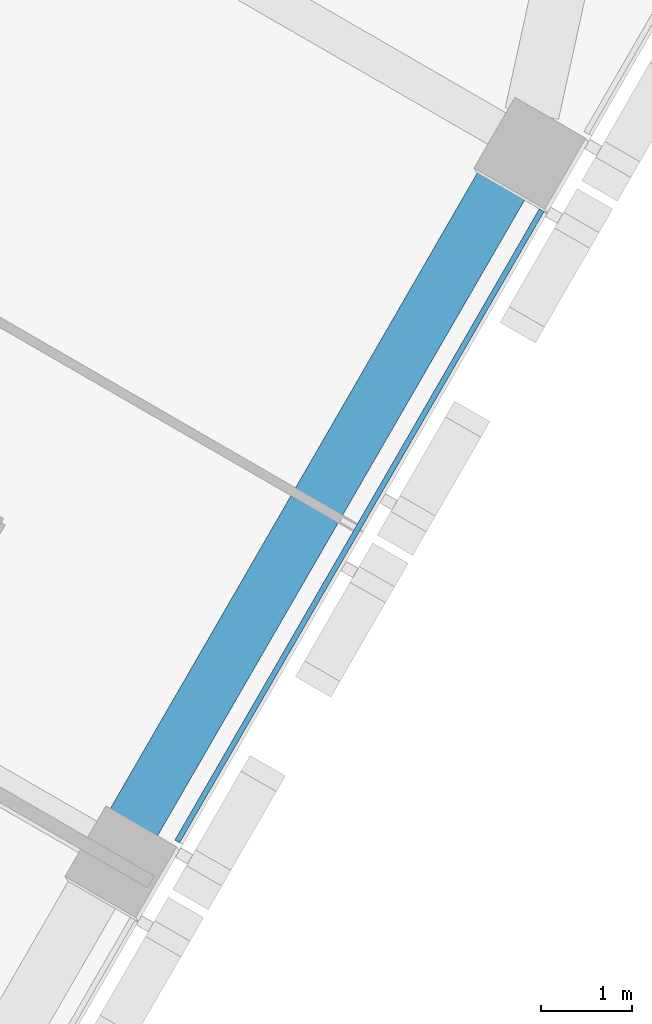
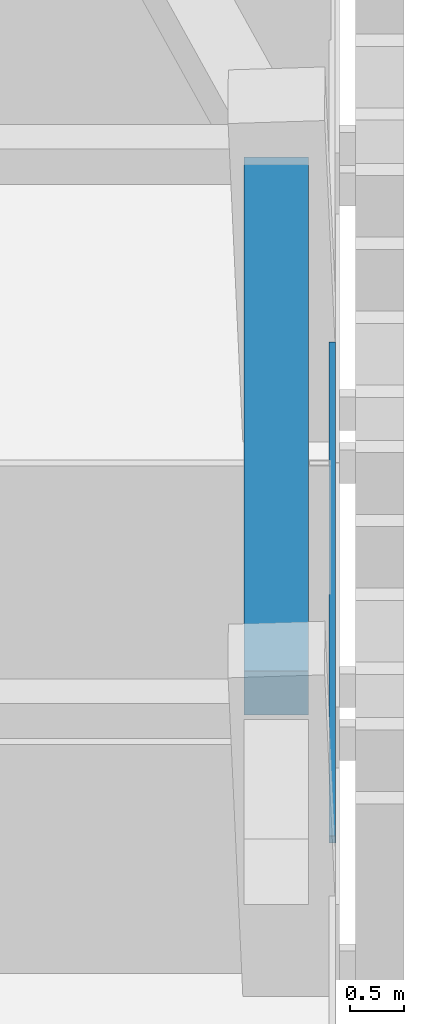
# One storey, part 5 of 18: 1 beam, 1 member, 1 element without a shape of its own.
"""IFC4 building model written with IfcOpenShell, lengths in metres."""

from ifc_helpers import new_model, si_unit, direction, frame, origin, origin_2d, place, context, subcontext, project, spatial, rectangle, extrude, material, layer, layer_set, material_profile, profile_set, type_object, element, aggregate, save


model = new_model("IFC4")

# Units and contexts
model_context = context("Model", 3, precision=1e-05, world=origin(), true_north=direction((0.0, 1.0)))
body_context = subcontext(model_context, "Body", "Model", "MODEL_VIEW")
ifc_project = project(units=[si_unit("LENGTHUNIT", "METRE"), si_unit("AREAUNIT", "SQUARE_METRE"), si_unit("VOLUMEUNIT", "CUBIC_METRE"), si_unit("PLANEANGLEUNIT", "RADIAN"), si_unit("MASSUNIT", "GRAM", prefix="KILO")], contexts=[model_context])

# Site, building, storey
site_placement = place(None, origin())
site = spatial("IfcSite", under=ifc_project, at=site_placement, CompositionType="ELEMENT")
building_placement = place(site_placement, origin())
building = spatial("IfcBuilding", under=site, at=building_placement, Name="Altiplano Prism Tower", CompositionType="ELEMENT")
storey_placement = place(building_placement, frame((0.0, 0.0, 37.800048828125)))
storey = spatial("IfcBuildingStorey", under=building, at=storey_placement, Name="L08", CompositionType="ELEMENT", Elevation=37.800048828125)

# Curtain wall, member
ifc_material_1 = material(Name="Aluminium and glass", Category="aluminium")
ifc_layer = layer(ifc_material_1, 0.280029296875)
ifc_layer_set = layer_set([ifc_layer], Name="Aluminium and glass")
curtain_wall_type = type_object("IfcCurtainWallType", Name="CW1 typical co-living unitised curtain wall", PredefinedType="NOTDEFINED", material=ifc_layer_set)
curtain_wall_placement = place(storey_placement, origin())
curtain_wall = element("IfcCurtainWall", 1, at=curtain_wall_placement, inside=storey, type_object=curtain_wall_type, Name="CW1 curtain wall south-east face L08", PredefinedType="NOTDEFINED")
ifc_material_2 = material(Name="Aluminium", Category="aluminium")
ifc_material_profile_1 = material_profile(ifc_material_2, rectangle(XDim=0.06005859375, YDim=0.080078125, at=origin_2d()), Name="CW1 transom 80 x 60")
ifc_profile_set_1 = profile_set([ifc_material_profile_1], Name="Aluminium")
member_type = type_object("IfcMemberType", Name="CW1 transom 80 x 60", PredefinedType="USERDEFINED", material=ifc_profile_set_1)
member_placement = place(storey_placement, frame((105.400634765625, 78.306396484375, 1.099853515625), z_axis=(0.500012318566, 0.86601829154, 0.0), x_axis=(-0.86601829154, 0.500012318566, 0.0)))
member = element("IfcMember", 2, at=member_placement, type_object=member_type, Name="CW1 transom", ObjectType="TRANSOM", PredefinedType="USERDEFINED", context=body_context, shape_type="SweptSolid", body=[
    extrude(rectangle(XDim=0.06005859375, YDim=0.080078125, at=origin_2d()), origin(), (0.0, 0.0, 1.0), 8.019775390625),
])
aggregate(curtain_wall, [member])

# Beam
ifc_material_3 = material(Name="Concrete C60/75", Category="concrete")
ifc_material_profile_2 = material_profile(ifc_material_3, rectangle(XDim=0.60009765625, YDim=0.5, at=origin_2d()), Name="Edge beam 600x500")
ifc_profile_set_2 = profile_set([ifc_material_profile_2], Name="Concrete C60/75")
beam_type = type_object("IfcBeamType", Name="Edge beam 600x500", PredefinedType="SPANDREL", material=ifc_profile_set_2)
beam_placement = place(storey_placement, frame((104.891845703125, 78.462158203125, 2.849853515625), z_axis=(0.499992746786, 0.866029591389, 0.0), x_axis=(-0.866029591389, 0.499992746786, 0.0)))
element("IfcBeam", 3, at=beam_placement, inside=storey, type_object=beam_type, Name="Edge beam P23-P24 L09", PredefinedType="SPANDREL", context=body_context, shape_type="SweptSolid", body=[
    extrude(rectangle(XDim=0.60009765625, YDim=0.5, at=origin_2d()), origin(), (0.0, 0.0, 1.0), 8.33984375),
])

save(model, "model.ifc")
